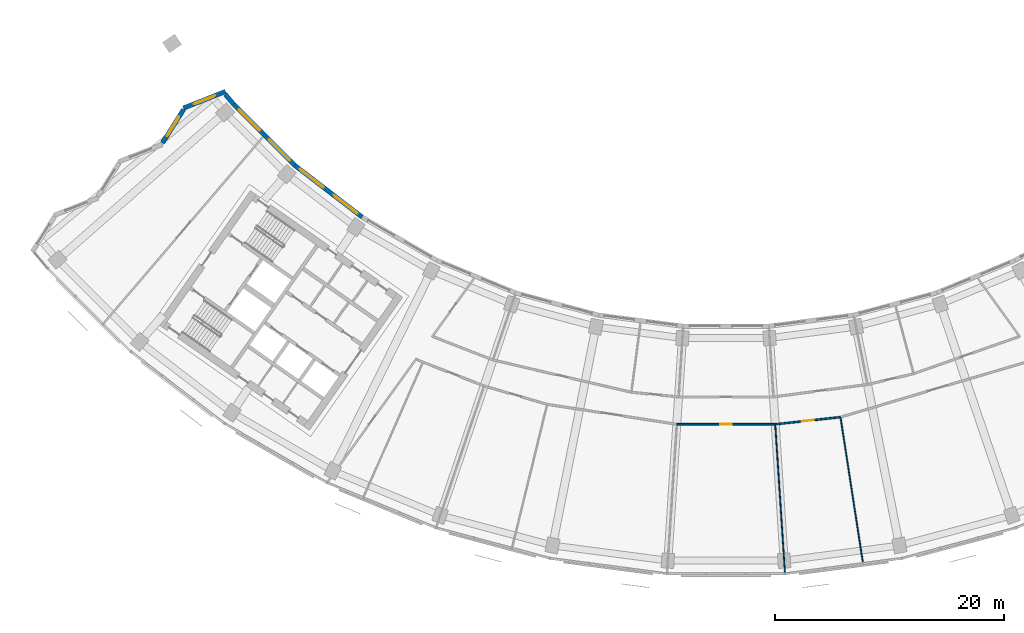
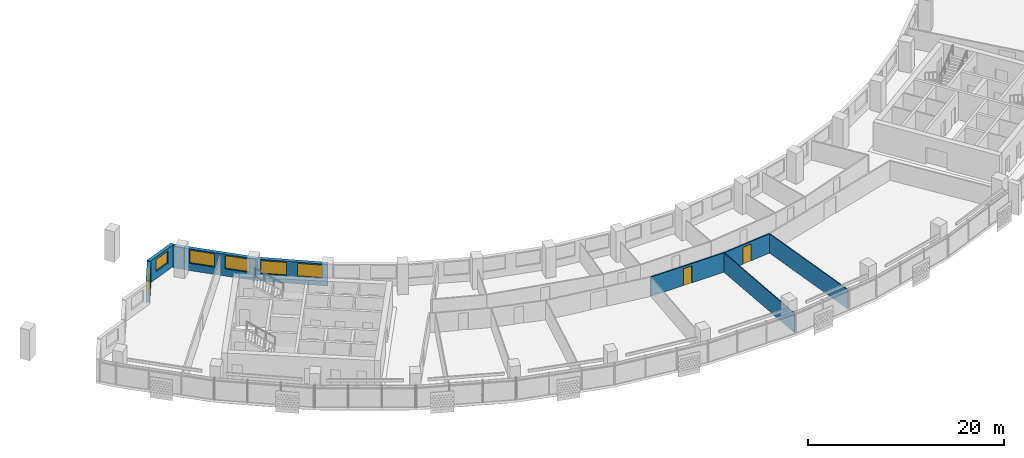
# One storey, part 5 of 26: 9 walls, 6 windows, 2 doors, 8 openings.
"""IFC4 building model written with IfcOpenShell, lengths in metres."""

from ifc_helpers import new_model, si_unit, direction, frame, frame_2d, origin, place, context, subcontext, project, spatial, rectangle, extrude, material, layer, layer_set, type_object, element, fill, save


model = new_model("IFC4")

# Units and contexts
model_context = context("Model", 3, precision=1e-05, world=origin(), true_north=direction((0.0, 1.0)))
body_context = subcontext(model_context, "Body", "Model", "MODEL_VIEW")
ifc_project = project(units=[si_unit("LENGTHUNIT", "METRE"), si_unit("AREAUNIT", "SQUARE_METRE"), si_unit("VOLUMEUNIT", "CUBIC_METRE"), si_unit("PLANEANGLEUNIT", "RADIAN"), si_unit("MASSUNIT", "GRAM", prefix="KILO")], contexts=[model_context])

# Site, building, storey
site_placement = place(None, origin())
site = spatial("IfcSite", under=ifc_project, at=site_placement, CompositionType="ELEMENT")
building_placement = place(site_placement, origin())
building = spatial("IfcBuilding", under=site, at=building_placement, Name="Qamariyya Broadcast Tower", CompositionType="ELEMENT")
storey_placement = place(building_placement, frame((0.0, 0.0, 160.699951171875)))
storey = spatial("IfcBuildingStorey", under=building, at=storey_placement, Name="L37", CompositionType="ELEMENT", Elevation=160.699951171875)

# Wall, opening, door
ifc_material_1 = material(Name="Gypsum board partition")
ifc_layer_1 = layer(ifc_material_1, 0.14990234375)
ifc_layer_set_1 = layer_set([ifc_layer_1], Name="Corridor partition 150 EI 60")
wall_type_1 = type_object("IfcWallType", Name="Corridor partition 150 EI 60", PredefinedType="PARTITIONING", material=ifc_layer_set_1)
wall_1_placement = place(storey_placement, frame((4.303466796875, -65.6591796875, 0.0), z_axis=(0.0, 0.0, 1.0), x_axis=(-1.0, 0.0, 0.0)))
wall_1 = element("IfcWall", 1, at=wall_1_placement, inside=storey, type_object=wall_type_1, Name="Partition L37-017", PredefinedType="PARTITIONING", context=body_context, shape_type="SweptSolid", body=[
    extrude(rectangle(XDim=8.60693359375, YDim=0.14990234375, at=frame_2d((4.303466796875, 0.0))), origin(), (0.0, 0.0, 1.0), 2.400146484375),
])
opening_1_placement = place(wall_1_placement, frame((3.803466796875, 0.0, 0.0)))
opening_1 = element("IfcOpeningElement", 2, at=opening_1_placement, cuts=wall_1, Name="Opening L37-D05", PredefinedType="OPENING", context=body_context, shape_type="SweptSolid", body=[
    extrude(rectangle(XDim=1.0, YDim=2.10009765625, at=frame_2d((0.5, 1.050048828125))), frame((0.0, 0.0849609375, 0.0), z_axis=(0.0, -1.0, 0.0), x_axis=(1.0, 0.0, 0.0)), (0.0, 0.0, 1.0), 0.169921875),
])
ifc_material_2 = material(Name="Timber fire door leaf", Category="wood")
door_type = type_object("IfcDoorType", Name="Fire door 1000 x 2100 FD60", OperationType="NOTDEFINED", PredefinedType="DOOR", material=ifc_material_2)
door_1_placement = place(opening_1_placement, origin())
door_1 = element("IfcDoor", 3, at=door_1_placement, inside=storey, type_object=door_type, Name="Door L37-D05", OperationType="SINGLE_SWING_RIGHT", OverallHeight=2.10009765625, OverallWidth=1.0, PredefinedType="DOOR", context=body_context, shape_type="SweptSolid", body=[
    extrude(rectangle(XDim=1.0, YDim=2.10009765625, at=frame_2d((0.5, 1.050048828125))), frame((0.0, 0.02490234375, 0.0), z_axis=(0.0, -1.0, 0.0), x_axis=(1.0, 0.0, 0.0)), (0.0, 0.0, 1.0), 0.050048828125),
])
fill(opening_1, door_1)

wall_2_placement = place(storey_placement, frame((10.011474609375, -65.033935546875, 0.0), z_axis=(0.0, 0.0, 1.0), x_axis=(-0.99405415906, -0.108886770802, 0.0)))
wall_2 = element("IfcWall", 4, at=wall_2_placement, inside=storey, type_object=wall_type_1, Name="Partition L37-022", PredefinedType="PARTITIONING", context=body_context, shape_type="SweptSolid", body=[
    extrude(rectangle(XDim=5.7421875, YDim=0.14990234375, at=frame_2d((2.87109375, 0.0))), origin(), (0.0, 0.0, 1.0), 2.400146484375),
])
opening_2_placement = place(wall_2_placement, frame((2.37109375, 0.0, 0.0)))
opening_2 = element("IfcOpeningElement", 5, at=opening_2_placement, cuts=wall_2, Name="Opening L37-D06", PredefinedType="OPENING", context=body_context, shape_type="SweptSolid", body=[
    extrude(rectangle(XDim=1.0, YDim=2.10009765625, at=frame_2d((0.5, 1.050048828125))), frame((0.0, 0.0849609375, 0.0), z_axis=(0.0, -1.0, 0.0), x_axis=(1.0, 0.0, 0.0)), (0.0, 0.0, 1.0), 0.169921875),
])
door_2_placement = place(opening_2_placement, origin())
door_2 = element("IfcDoor", 6, at=door_2_placement, inside=storey, type_object=door_type, Name="Door L37-D06", OperationType="SINGLE_SWING_RIGHT", OverallHeight=2.10009765625, OverallWidth=1.0, PredefinedType="DOOR", context=body_context, shape_type="SweptSolid", body=[
    extrude(rectangle(XDim=1.0, YDim=2.10009765625, at=frame_2d((0.5, 1.050048828125))), frame((0.0, 0.02490234375, 0.0), z_axis=(0.0, -1.0, 0.0), x_axis=(1.0, 0.0, 0.0)), (0.0, 0.0, 1.0), 0.050048828125),
])
fill(opening_2, door_2)

# Walls
ifc_layer_2 = layer(ifc_material_1, 0.10009765625)
ifc_layer_set_2 = layer_set([ifc_layer_2], Name="Partition 100")
wall_type_2 = type_object("IfcWallType", Name="Partition 100", PredefinedType="PARTITIONING", material=ifc_layer_set_2)
wall_3_placement = place(storey_placement, frame((5.15380859375, -78.63134765625, 0.0), z_axis=(0.0, 0.0, 1.0), x_axis=(-0.065411967988, 0.997858343877, 0.0)))
element("IfcWall", 7, at=wall_3_placement, inside=storey, type_object=wall_type_2, Name="Partition L37-023", PredefinedType="PARTITIONING", context=body_context, shape_type="SweptSolid", body=[
    extrude(rectangle(XDim=12.925048828125, YDim=0.10009765625, at=frame_2d((6.46240234375, 0.0))), origin(), (0.0, 0.0, 1.0), 2.400146484375),
])
wall_4_placement = place(storey_placement, frame((11.966552734375, -77.73388671875, 0.0), z_axis=(0.0, 0.0, 1.0), x_axis=(-0.152147660046, 0.988357774059, 0.0)))
element("IfcWall", 8, at=wall_4_placement, inside=storey, type_object=wall_type_2, Name="Partition L37-026", PredefinedType="PARTITIONING", context=body_context, shape_type="SweptSolid", body=[
    extrude(rectangle(XDim=12.7744140625, YDim=0.10009765625, at=frame_2d((6.38720703125, 0.0))), origin(), (0.0, 0.0, 1.0), 2.400146484375),
])

# Wall, opening, window
ifc_material_3 = material(Name="Terracotta", Category="masonry")
ifc_layer_3 = layer(ifc_material_3, 0.39990234375)
ifc_layer_set_3 = layer_set([ifc_layer_3], Name="Terracotta clad wall 400")
wall_type_3 = type_object("IfcWallType", Name="Terracotta clad wall 400", PredefinedType="SOLIDWALL", material=ifc_layer_set_3)
wall_5_placement = place(storey_placement, frame((-43.757080078125, -36.55615234375, 0.0), z_axis=(0.0, 0.0, 1.0), x_axis=(-0.930450558364, -0.366417464704, 0.0)))
wall_5 = element("IfcWall", 9, at=wall_5_placement, inside=storey, type_object=wall_type_3, Name="e-wl-L37-capW0", PredefinedType="SOLIDWALL", context=body_context, shape_type="SweptSolid", body=[
    extrude(rectangle(XDim=3.948486328125, YDim=0.39990234375, at=frame_2d((1.97412109375, 0.0))), origin(), (0.0, 0.0, 1.0), 2.699951171875),
])
opening_3_placement = place(wall_5_placement, frame((0.974365234375, 0.0, 0.89990234375)))
opening_3 = element("IfcOpeningElement", 10, at=opening_3_placement, cuts=wall_5, Name="Opening W4", PredefinedType="OPENING", context=body_context, shape_type="SweptSolid", body=[
    extrude(rectangle(XDim=2.0, YDim=1.5, at=frame_2d((1.0, 0.75))), frame((0.0, 0.2099609375, 0.0), z_axis=(0.0, -1.0, 0.0), x_axis=(1.0, 0.0, 0.0)), (0.0, 0.0, 1.0), 0.419921875),
])
ifc_material_4 = material(Name="Clear low-e double glazed unit in aluminium frame", Category="aluminium")
window_type_1 = type_object("IfcWindowType", Name="Horn bay window 2000 x 1500", PartitioningType="SINGLE_PANEL", PredefinedType="WINDOW", material=ifc_material_4)
window_1_placement = place(opening_3_placement, origin())
window_1 = element("IfcWindow", 11, at=window_1_placement, inside=storey, type_object=window_type_1, Name="e-w-L37-capW0", OverallHeight=1.5, OverallWidth=2.0, PartitioningType="SINGLE_PANEL", PredefinedType="WINDOW", context=body_context, shape_type="SweptSolid", body=[
    extrude(rectangle(XDim=2.0, YDim=1.5, at=frame_2d((1.0, 0.75))), frame((0.0, 0.030029296875, 0.0), z_axis=(0.0, -1.0, 0.0), x_axis=(1.0, 0.0, 0.0)), (0.0, 0.0, 1.0), 0.06005859375),
])
fill(opening_3, window_1)

wall_6_placement = place(storey_placement, frame((-47.433837890625, -38.140625, 0.0), z_axis=(0.0, 0.0, 1.0), x_axis=(-0.533859471024, -0.845573216935, 0.0)))
wall_6 = element("IfcWall", 12, at=wall_6_placement, inside=storey, type_object=wall_type_3, Name="e-wl-L37-capW1", PredefinedType="SOLIDWALL", context=body_context, shape_type="SweptSolid", body=[
    extrude(rectangle(XDim=3.43994140625, YDim=0.39990234375, at=frame_2d((1.719970703125, 0.0))), origin(), (0.0, 0.0, 1.0), 2.699951171875),
])
opening_4_placement = place(wall_6_placement, frame((0.719970703125, 0.0, 0.89990234375)))
opening_4 = element("IfcOpeningElement", 13, at=opening_4_placement, cuts=wall_6, Name="Opening W4", PredefinedType="OPENING", context=body_context, shape_type="SweptSolid", body=[
    extrude(rectangle(XDim=2.0, YDim=1.5, at=frame_2d((1.0, 0.75))), frame((0.0, 0.2099609375, 0.0), z_axis=(0.0, -1.0, 0.0), x_axis=(1.0, 0.0, 0.0)), (0.0, 0.0, 1.0), 0.419921875),
])
window_2_placement = place(opening_4_placement, origin())
window_2 = element("IfcWindow", 14, at=window_2_placement, inside=storey, type_object=window_type_1, Name="e-w-L37-capW1", OverallHeight=1.5, OverallWidth=2.0, PartitioningType="SINGLE_PANEL", PredefinedType="WINDOW", context=body_context, shape_type="SweptSolid", body=[
    extrude(rectangle(XDim=2.0, YDim=1.5, at=frame_2d((1.0, 0.75))), frame((0.0, 0.030029296875, 0.0), z_axis=(0.0, -1.0, 0.0), x_axis=(1.0, 0.0, 0.0)), (0.0, 0.0, 1.0), 0.06005859375),
])
fill(opening_4, window_2)

# Wall
wall_7_placement = place(storey_placement, frame((-43.021728515625, -37.6953125, 0.0), z_axis=(0.0, 0.0, 1.0), x_axis=(-0.648978997335, 0.760806322935, 0.0)))
element("IfcWall", 15, at=wall_7_placement, inside=storey, type_object=wall_type_3, Name="e-wl-L37-in00", PredefinedType="SOLIDWALL", context=body_context, shape_type="SweptSolid", body=[
    extrude(rectangle(XDim=1.155029296875, YDim=0.39990234375, at=frame_2d((0.57763671875, 0.0))), origin(), (0.0, 0.0, 1.0), 2.699951171875),
])

# Wall, openings, windows
wall_8_placement = place(storey_placement, frame((-37.697265625, -43.023193359375, 0.0), z_axis=(0.0, 0.0, 1.0), x_axis=(-0.707106781187, 0.707106781187, 0.0)))
wall_8 = element("IfcWall", 16, at=wall_8_placement, inside=storey, type_object=wall_type_3, Name="e-wl-L37-in10", PredefinedType="SOLIDWALL", context=body_context, shape_type="SweptSolid", body=[
    extrude(rectangle(XDim=7.516845703125, YDim=0.39990234375, at=frame_2d((3.75830078125, 0.0))), origin(), (0.0, 0.0, 1.0), 2.699951171875),
])
opening_5_placement = place(wall_8_placement, frame((4.330078125, 0.0, 0.89990234375)))
opening_5 = element("IfcOpeningElement", 17, at=opening_5_placement, cuts=wall_8, Name="Opening W1", PredefinedType="OPENING", context=body_context, shape_type="SweptSolid", body=[
    extrude(rectangle(XDim=2.60009765625, YDim=1.64990234375, at=frame_2d((1.300048828125, 0.824951171875))), frame((0.0, 0.2099609375, 0.0), z_axis=(0.0, -1.0, 0.0), x_axis=(1.0, 0.0, 0.0)), (0.0, 0.0, 1.0), 0.419921875),
])
opening_6_placement = place(wall_8_placement, frame((0.60205078125, 0.0, 0.89990234375)))
opening_6 = element("IfcOpeningElement", 18, at=opening_6_placement, cuts=wall_8, Name="Opening W1", PredefinedType="OPENING", context=body_context, shape_type="SweptSolid", body=[
    extrude(rectangle(XDim=2.60009765625, YDim=1.64990234375, at=frame_2d((1.300048828125, 0.824951171875))), frame((0.0, 0.2099609375, 0.0), z_axis=(0.0, -1.0, 0.0), x_axis=(1.0, 0.0, 0.0)), (0.0, 0.0, 1.0), 0.419921875),
])
window_type_2 = type_object("IfcWindowType", Name="Ribbon window 2600 x 1650", PartitioningType="SINGLE_PANEL", PredefinedType="WINDOW", material=ifc_material_4)
window_3_placement = place(opening_5_placement, origin())
window_3 = element("IfcWindow", 19, at=window_3_placement, inside=storey, type_object=window_type_2, Name="e-w-L37-in01-0", OverallHeight=1.64990234375, OverallWidth=2.60009765625, PartitioningType="SINGLE_PANEL", PredefinedType="WINDOW", context=body_context, shape_type="SweptSolid", body=[
    extrude(rectangle(XDim=2.60009765625, YDim=1.64990234375, at=frame_2d((1.300048828125, 0.824951171875))), frame((0.0, 0.030029296875, 0.0), z_axis=(0.0, -1.0, 0.0), x_axis=(1.0, 0.0, 0.0)), (0.0, 0.0, 1.0), 0.06005859375),
])
fill(opening_5, window_3)
window_4_placement = place(opening_6_placement, origin())
window_4 = element("IfcWindow", 20, at=window_4_placement, inside=storey, type_object=window_type_2, Name="e-w-L37-in01-1", OverallHeight=1.64990234375, OverallWidth=2.60009765625, PartitioningType="SINGLE_PANEL", PredefinedType="WINDOW", context=body_context, shape_type="SweptSolid", body=[
    extrude(rectangle(XDim=2.60009765625, YDim=1.64990234375, at=frame_2d((1.300048828125, 0.824951171875))), frame((0.0, 0.030029296875, 0.0), z_axis=(0.0, -1.0, 0.0), x_axis=(1.0, 0.0, 0.0)), (0.0, 0.0, 1.0), 0.06005859375),
])
fill(opening_6, window_4)

wall_9_placement = place(storey_placement, frame((-31.819091796875, -47.529541015625, 0.0), z_axis=(0.0, 0.0, 1.0), x_axis=(-0.79334647843, 0.608770371457, 0.0)))
wall_9 = element("IfcWall", 21, at=wall_9_placement, inside=storey, type_object=wall_type_3, Name="e-wl-L37-in20", PredefinedType="SOLIDWALL", context=body_context, shape_type="SweptSolid", body=[
    extrude(rectangle(XDim=7.380615234375, YDim=0.39990234375, at=frame_2d((3.6904296875, 0.0))), origin(), (0.0, 0.0, 1.0), 2.699951171875),
])
opening_7_placement = place(wall_9_placement, frame((4.25439453125, 0.0, 0.89990234375)))
opening_7 = element("IfcOpeningElement", 22, at=opening_7_placement, cuts=wall_9, Name="Opening W1", PredefinedType="OPENING", context=body_context, shape_type="SweptSolid", body=[
    extrude(rectangle(XDim=2.60009765625, YDim=1.64990234375, at=frame_2d((1.300048828125, 0.824951171875))), frame((0.0, 0.2099609375, 0.0), z_axis=(0.0, -1.0, 0.0), x_axis=(1.0, 0.0, 0.0)), (0.0, 0.0, 1.0), 0.419921875),
])
opening_8_placement = place(wall_9_placement, frame((0.5263671875, 0.0, 0.89990234375)))
opening_8 = element("IfcOpeningElement", 23, at=opening_8_placement, cuts=wall_9, Name="Opening W1", PredefinedType="OPENING", context=body_context, shape_type="SweptSolid", body=[
    extrude(rectangle(XDim=2.60009765625, YDim=1.64990234375, at=frame_2d((1.300048828125, 0.824951171875))), frame((0.0, 0.2099609375, 0.0), z_axis=(0.0, -1.0, 0.0), x_axis=(1.0, 0.0, 0.0)), (0.0, 0.0, 1.0), 0.419921875),
])
window_5_placement = place(opening_7_placement, origin())
window_5 = element("IfcWindow", 24, at=window_5_placement, inside=storey, type_object=window_type_2, Name="e-w-L37-in02-0", OverallHeight=1.64990234375, OverallWidth=2.60009765625, PartitioningType="SINGLE_PANEL", PredefinedType="WINDOW", context=body_context, shape_type="SweptSolid", body=[
    extrude(rectangle(XDim=2.60009765625, YDim=1.64990234375, at=frame_2d((1.300048828125, 0.824951171875))), frame((0.0, 0.030029296875, 0.0), z_axis=(0.0, -1.0, 0.0), x_axis=(1.0, 0.0, 0.0)), (0.0, 0.0, 1.0), 0.06005859375),
])
fill(opening_7, window_5)
window_6_placement = place(opening_8_placement, origin())
window_6 = element("IfcWindow", 25, at=window_6_placement, inside=storey, type_object=window_type_2, Name="e-w-L37-in02-1", OverallHeight=1.64990234375, OverallWidth=2.60009765625, PartitioningType="SINGLE_PANEL", PredefinedType="WINDOW", context=body_context, shape_type="SweptSolid", body=[
    extrude(rectangle(XDim=2.60009765625, YDim=1.64990234375, at=frame_2d((1.300048828125, 0.824951171875))), frame((0.0, 0.030029296875, 0.0), z_axis=(0.0, -1.0, 0.0), x_axis=(1.0, 0.0, 0.0)), (0.0, 0.0, 1.0), 0.06005859375),
])
fill(opening_8, window_6)

save(model, "model.ifc")
